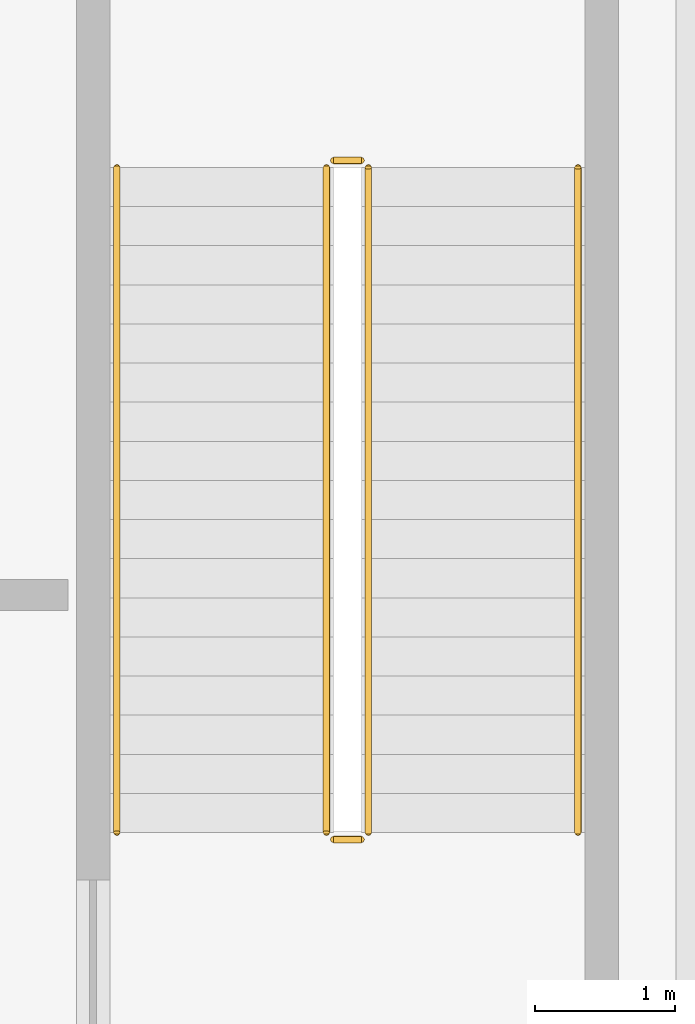
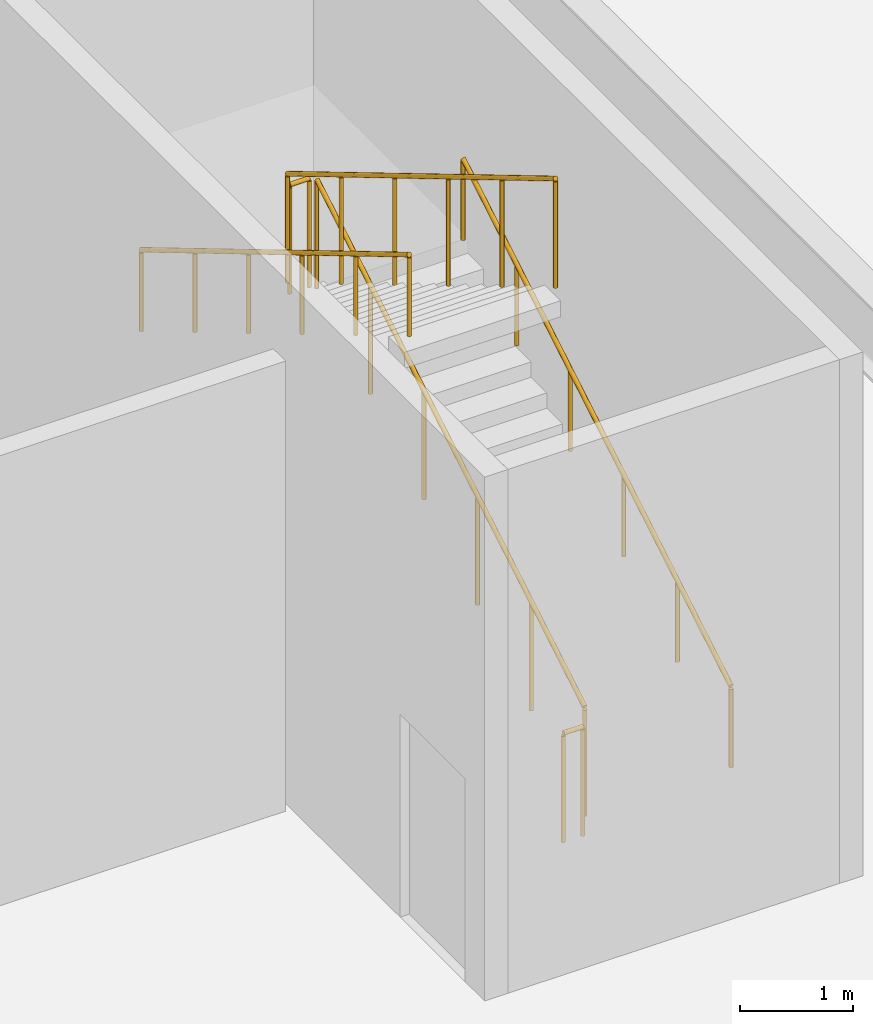
# One storey, part 35 of 35: 6 railings.
"""IFC4 building model written with IfcOpenShell, lengths in metres."""

from ifc_helpers import new_model, si_unit, direction, frame, origin, origin_2d, place, context, subcontext, project, spatial, circle, extrude, material, type_object, element, save


model = new_model("IFC4")

# Units and contexts
model_context = context("Model", 3, precision=1e-05, world=origin(), true_north=direction((0.0, 1.0)))
body_context = subcontext(model_context, "Body", "Model", "MODEL_VIEW")
ifc_project = project(units=[si_unit("LENGTHUNIT", "METRE"), si_unit("AREAUNIT", "SQUARE_METRE"), si_unit("VOLUMEUNIT", "CUBIC_METRE"), si_unit("PLANEANGLEUNIT", "RADIAN"), si_unit("MASSUNIT", "GRAM", prefix="KILO")], contexts=[model_context])

# Site, building, storey
site_placement = place(None, origin())
site = spatial("IfcSite", under=ifc_project, at=site_placement, CompositionType="ELEMENT")
building_placement = place(site_placement, origin())
building = spatial("IfcBuilding", under=site, at=building_placement, Name="Calvorn Quay Hotel", CompositionType="ELEMENT")
storey_placement = place(building_placement, frame((0.0, 0.0, 6.0)))
storey = spatial("IfcBuildingStorey", under=building, at=storey_placement, Name="L01", CompositionType="ELEMENT", Elevation=6.0)

# Railings
ifc_material_1 = material(Name="Brushed Stainless Steel Handrail", Category="steel")
railing_type_1 = type_object("IfcRailingType", Name="RLG-HANDRAIL-900", PredefinedType="HANDRAIL", material=ifc_material_1)
railing_1_placement = place(storey_placement, frame((56.75, 45.800048828125, 0.166748046875)))
element("IfcRailing", 1, at=railing_1_placement, inside=storey, type_object=railing_type_1, Name="L01 ST-P1 stair handrail 1", PredefinedType="HANDRAIL", context=body_context, shape_type="SweptSolid", body=[
    extrude(circle(Radius=0.02392578125, at=origin_2d()), frame((0.0, 0.0, 0.8759765625), z_axis=(0.0, 0.859299802514, 0.511472237174), x_axis=(-1.0, 0.0, 0.0)), (0.0, 0.0, 1.0), 5.539306640625),
    extrude(circle(Radius=0.02099609375, at=origin_2d()), origin(), (0.0, 0.0, 1.0), 0.851806640625),
    extrude(circle(Radius=0.02099609375, at=origin_2d()), frame((0.0, 0.951904296875, 0.566650390625)), (0.0, 0.0, 1.0), 0.851806640625),
    extrude(circle(Radius=0.02099609375, at=origin_2d()), frame((0.0, 1.904052734375, 1.13330078125)), (0.0, 0.0, 1.0), 0.851806640625),
    extrude(circle(Radius=0.02099609375, at=origin_2d()), frame((0.0, 2.85595703125, 1.699951171875)), (0.0, 0.0, 1.0), 0.851806640625),
    extrude(circle(Radius=0.02099609375, at=origin_2d()), frame((0.0, 3.80810546875, 2.2666015625)), (0.0, 0.0, 1.0), 0.851806640625),
    extrude(circle(Radius=0.02099609375, at=origin_2d()), frame((0.0, 4.760009765625, 2.833251953125)), (0.0, 0.0, 1.0), 0.851806640625),
])
railing_2_placement = place(storey_placement, frame((53.449951171875, 50.56005859375, 3.166748046875)))
element("IfcRailing", 2, at=railing_2_placement, inside=storey, type_object=railing_type_1, Name="L01 ST-P1 stair handrail 2", PredefinedType="HANDRAIL", context=body_context, shape_type="SweptSolid", body=[
    extrude(circle(Radius=0.02392578125, at=origin_2d()), frame((0.0, 0.0, 0.8759765625), z_axis=(0.0, -0.859299802514, 0.511472237174), x_axis=(1.0, 0.0, 0.0)), (0.0, 0.0, 1.0), 5.539306640625),
    extrude(circle(Radius=0.02099609375, at=origin_2d()), origin(), (0.0, 0.0, 1.0), 0.851806640625),
    extrude(circle(Radius=0.02099609375, at=origin_2d()), frame((0.0, -0.951904296875, 0.566650390625)), (0.0, 0.0, 1.0), 0.851806640625),
    extrude(circle(Radius=0.02099609375, at=origin_2d()), frame((0.0, -1.904052734375, 1.13330078125)), (0.0, 0.0, 1.0), 0.851806640625),
    extrude(circle(Radius=0.02099609375, at=origin_2d()), frame((0.0, -2.85595703125, 1.699951171875)), (0.0, 0.0, 1.0), 0.851806640625),
    extrude(circle(Radius=0.02099609375, at=origin_2d()), frame((0.0, -3.80810546875, 2.2666015625)), (0.0, 0.0, 1.0), 0.851806640625),
    extrude(circle(Radius=0.02099609375, at=origin_2d()), frame((0.0, -4.760009765625, 2.833251953125)), (0.0, 0.0, 1.0), 0.851806640625),
])
ifc_material_2 = material(Name="Painted Galvanised Steel Balustrade", Category="steel")
railing_type_2 = type_object("IfcRailingType", Name="RLG-STAIR-GUARD-1120", PredefinedType="GUARDRAIL", material=ifc_material_2)
railing_3_placement = place(storey_placement, frame((55.25, 45.800048828125, 0.166748046875)))
element("IfcRailing", 3, at=railing_3_placement, inside=storey, type_object=railing_type_2, Name="L01 ST-P1 stair guard 1", PredefinedType="GUARDRAIL", context=body_context, shape_type="SweptSolid", body=[
    extrude(circle(Radius=0.02392578125, at=origin_2d()), frame((0.0, 0.0, 1.17578125), z_axis=(0.0, 0.859299802514, 0.511472237174), x_axis=(-1.0, 0.0, 0.0)), (0.0, 0.0, 1.0), 5.539306640625),
    extrude(circle(Radius=0.02099609375, at=origin_2d()), origin(), (0.0, 0.0, 1.0), 1.15185546875),
    extrude(circle(Radius=0.02099609375, at=origin_2d()), frame((0.0, 0.951904296875, 0.566650390625)), (0.0, 0.0, 1.0), 1.15185546875),
    extrude(circle(Radius=0.02099609375, at=origin_2d()), frame((0.0, 1.904052734375, 1.13330078125)), (0.0, 0.0, 1.0), 1.15185546875),
    extrude(circle(Radius=0.02099609375, at=origin_2d()), frame((0.0, 2.85595703125, 1.699951171875)), (0.0, 0.0, 1.0), 1.15185546875),
    extrude(circle(Radius=0.02099609375, at=origin_2d()), frame((0.0, 3.80810546875, 2.2666015625)), (0.0, 0.0, 1.0), 1.15185546875),
    extrude(circle(Radius=0.02099609375, at=origin_2d()), frame((0.0, 4.760009765625, 2.833251953125)), (0.0, 0.0, 1.0), 1.15185546875),
])
railing_4_placement = place(storey_placement, frame((55.199951171875, 50.610107421875, 3.0)))
element("IfcRailing", 4, at=railing_4_placement, inside=storey, type_object=railing_type_2, Name="L01 ST-P1 stair guard 2", PredefinedType="GUARDRAIL", context=body_context, shape_type="SweptSolid", body=[
    extrude(circle(Radius=0.02392578125, at=origin_2d()), frame((0.0, 0.0, 1.17578125), z_axis=(-1.0, 0.0, 0.0), x_axis=(0.0, -1.0, 0.0)), (0.0, 0.0, 1.0), 0.199951171875),
    extrude(circle(Radius=0.02099609375, at=origin_2d()), origin(), (0.0, 0.0, 1.0), 1.15185546875),
    extrude(circle(Radius=0.02099609375, at=origin_2d()), frame((-0.199951171875, 0.0, 0.0)), (0.0, 0.0, 1.0), 1.15185546875),
])
railing_5_placement = place(storey_placement, frame((54.949951171875, 50.56005859375, 3.166748046875)))
element("IfcRailing", 5, at=railing_5_placement, inside=storey, type_object=railing_type_2, Name="L01 ST-P1 stair guard 3", PredefinedType="GUARDRAIL", context=body_context, shape_type="SweptSolid", body=[
    extrude(circle(Radius=0.02392578125, at=origin_2d()), frame((0.0, 0.0, 1.17578125), z_axis=(0.0, -0.859299802514, 0.511472237174), x_axis=(1.0, 0.0, 0.0)), (0.0, 0.0, 1.0), 5.539306640625),
    extrude(circle(Radius=0.02099609375, at=origin_2d()), origin(), (0.0, 0.0, 1.0), 1.15185546875),
    extrude(circle(Radius=0.02099609375, at=origin_2d()), frame((0.0, -0.951904296875, 0.566650390625)), (0.0, 0.0, 1.0), 1.15185546875),
    extrude(circle(Radius=0.02099609375, at=origin_2d()), frame((0.0, -1.904052734375, 1.13330078125)), (0.0, 0.0, 1.0), 1.15185546875),
    extrude(circle(Radius=0.02099609375, at=origin_2d()), frame((0.0, -2.85595703125, 1.699951171875)), (0.0, 0.0, 1.0), 1.15185546875),
    extrude(circle(Radius=0.02099609375, at=origin_2d()), frame((0.0, -3.80810546875, 2.2666015625)), (0.0, 0.0, 1.0), 1.15185546875),
    extrude(circle(Radius=0.02099609375, at=origin_2d()), frame((0.0, -4.760009765625, 2.833251953125)), (0.0, 0.0, 1.0), 1.15185546875),
])
railing_6_placement = place(storey_placement, frame((55.199951171875, 45.75, 0.0)))
element("IfcRailing", 6, at=railing_6_placement, inside=storey, type_object=railing_type_2, Name="L01 ST-P1 stair guard 4", PredefinedType="GUARDRAIL", context=body_context, shape_type="SweptSolid", body=[
    extrude(circle(Radius=0.02392578125, at=origin_2d()), frame((0.0, 0.0, 1.17578125), z_axis=(-1.0, 0.0, 0.0), x_axis=(0.0, -1.0, 0.0)), (0.0, 0.0, 1.0), 0.199951171875),
    extrude(circle(Radius=0.02099609375, at=origin_2d()), origin(), (0.0, 0.0, 1.0), 1.15185546875),
    extrude(circle(Radius=0.02099609375, at=origin_2d()), frame((-0.199951171875, 0.0, 0.0)), (0.0, 0.0, 1.0), 1.15185546875),
])

save(model, "model.ifc")
